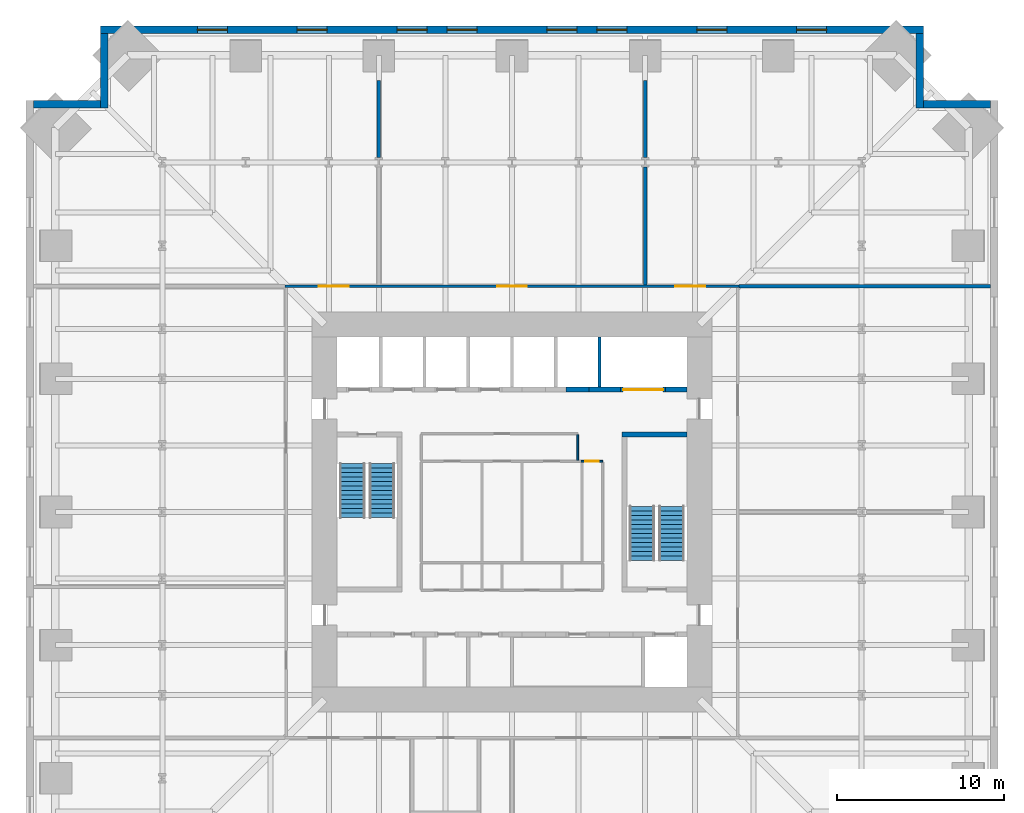
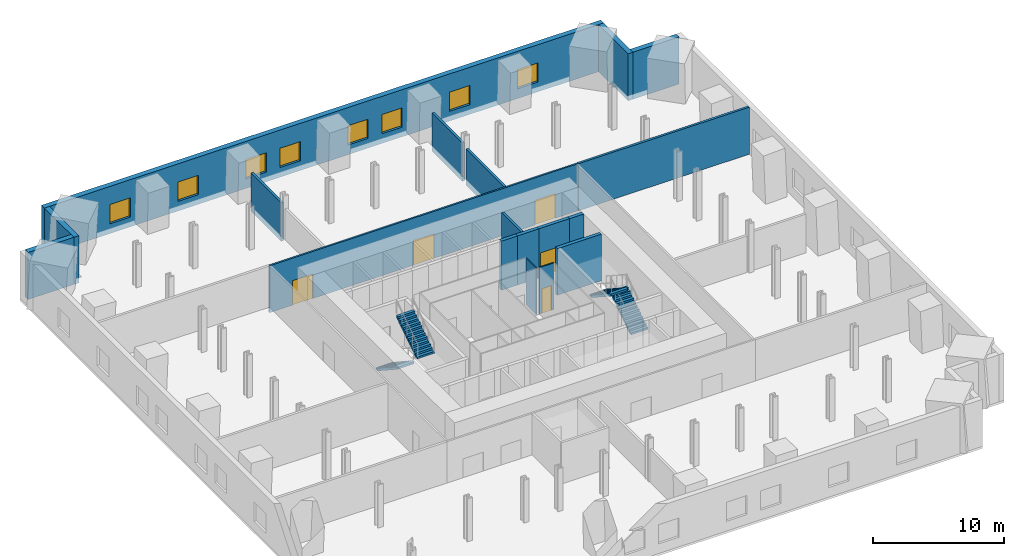
# One storey, part 7 of 8: 18 walls, 8 windows, 5 doors, 4 stair flights, 13 openings, 2 elements without a shape of their own.
"""IFC4 building model written with IfcOpenShell, lengths in metres."""

from ifc_helpers import new_model, si_unit, direction, frame, frame_2d, origin, place, context, subcontext, project, spatial, polyline, rectangle, outline, extrude, material, layer, layer_set, type_object, element, fill, aggregate, save


model = new_model("IFC4")

# Units and contexts
model_context = context("Model", 3, precision=1e-05, world=origin(), true_north=direction((0.0, 1.0)))
body_context = subcontext(model_context, "Body", "Model", "MODEL_VIEW")
ifc_project = project(units=[si_unit("LENGTHUNIT", "METRE"), si_unit("AREAUNIT", "SQUARE_METRE"), si_unit("VOLUMEUNIT", "CUBIC_METRE"), si_unit("PLANEANGLEUNIT", "RADIAN"), si_unit("MASSUNIT", "GRAM", prefix="KILO")], contexts=[model_context])

# Site, building, storey
site_placement = place(None, origin())
site = spatial("IfcSite", under=ifc_project, at=site_placement, CompositionType="ELEMENT")
building_placement = place(site_placement, origin())
building = spatial("IfcBuilding", under=site, at=building_placement, Name="Peilmerk Tower", CompositionType="ELEMENT")
storey_placement = place(building_placement, frame((0.0, 0.0, 86.0)))
storey = spatial("IfcBuildingStorey", under=building, at=storey_placement, Name="L16", CompositionType="ELEMENT", Elevation=86.0)

# Wall, openings, windows
ifc_material_1 = material(Name="Precast concrete C45/55, board-marked finish", Category="concrete")
ifc_layer_1 = layer(ifc_material_1, 0.449951171875)
ifc_layer_set_1 = layer_set([ifc_layer_1], Name="Precast concrete C45/55, board-marked finish")
wall_type_1 = type_object("IfcWallType", Name="EW1 450 precast concrete facade wall, board-marked", PredefinedType="SOLIDWALL", material=ifc_layer_set_1)
wall_1_placement = place(storey_placement, frame((24.699951171875, 28.97509765625, 0.0), z_axis=(0.0, 0.0, 1.0), x_axis=(-1.0, 0.0, 0.0)))
wall_1 = element("IfcWall", 1, at=wall_1_placement, inside=storey, type_object=wall_type_1, Name="Facade wall N L16", PredefinedType="SOLIDWALL", context=body_context, shape_type="SweptSolid", body=[
    extrude(rectangle(XDim=49.39990234375, YDim=0.449951171875, at=frame_2d((24.699951171875, 0.0))), origin(), (0.0, 0.0, 1.0), 4.39990234375),
])
opening_1_placement = place(wall_1_placement, frame((5.800048828125, 0.0, 0.89990234375)))
opening_1 = element("IfcOpeningElement", 2, at=opening_1_placement, cuts=wall_1, Name="Opening W3", PredefinedType="OPENING", context=body_context, shape_type="SweptSolid", body=[
    extrude(rectangle(XDim=1.800048828125, YDim=1.800048828125, at=frame_2d((0.89990234375, 0.89990234375))), frame((0.0, 0.23486328125, 0.0), z_axis=(0.0, -1.0, 0.0), x_axis=(1.0, 0.0, 0.0)), (0.0, 0.0, 1.0), 0.469970703125),
])
opening_2_placement = place(wall_1_placement, frame((11.800048828125, 0.0, 0.89990234375)))
opening_2 = element("IfcOpeningElement", 3, at=opening_2_placement, cuts=wall_1, Name="Opening W3", PredefinedType="OPENING", context=body_context, shape_type="SweptSolid", body=[
    extrude(rectangle(XDim=1.800048828125, YDim=1.800048828125, at=frame_2d((0.89990234375, 0.89990234375))), frame((0.0, 0.23486328125, 0.0), z_axis=(0.0, -1.0, 0.0), x_axis=(1.0, 0.0, 0.0)), (0.0, 0.0, 1.0), 0.469970703125),
])
opening_3_placement = place(wall_1_placement, frame((17.800048828125, 0.0, 0.89990234375)))
opening_3 = element("IfcOpeningElement", 4, at=opening_3_placement, cuts=wall_1, Name="Opening W3", PredefinedType="OPENING", context=body_context, shape_type="SweptSolid", body=[
    extrude(rectangle(XDim=1.800048828125, YDim=1.800048828125, at=frame_2d((0.89990234375, 0.89990234375))), frame((0.0, 0.23486328125, 0.0), z_axis=(0.0, -1.0, 0.0), x_axis=(1.0, 0.0, 0.0)), (0.0, 0.0, 1.0), 0.469970703125),
])
opening_4_placement = place(wall_1_placement, frame((20.800048828125, 0.0, 0.89990234375)))
opening_4 = element("IfcOpeningElement", 5, at=opening_4_placement, cuts=wall_1, Name="Opening W3", PredefinedType="OPENING", context=body_context, shape_type="SweptSolid", body=[
    extrude(rectangle(XDim=1.800048828125, YDim=1.800048828125, at=frame_2d((0.89990234375, 0.89990234375))), frame((0.0, 0.23486328125, 0.0), z_axis=(0.0, -1.0, 0.0), x_axis=(1.0, 0.0, 0.0)), (0.0, 0.0, 1.0), 0.469970703125),
])
opening_5_placement = place(wall_1_placement, frame((26.800048828125, 0.0, 0.89990234375)))
opening_5 = element("IfcOpeningElement", 6, at=opening_5_placement, cuts=wall_1, Name="Opening W3", PredefinedType="OPENING", context=body_context, shape_type="SweptSolid", body=[
    extrude(rectangle(XDim=1.800048828125, YDim=1.800048828125, at=frame_2d((0.89990234375, 0.89990234375))), frame((0.0, 0.23486328125, 0.0), z_axis=(0.0, -1.0, 0.0), x_axis=(1.0, 0.0, 0.0)), (0.0, 0.0, 1.0), 0.469970703125),
])
opening_6_placement = place(wall_1_placement, frame((29.800048828125, 0.0, 0.89990234375)))
opening_6 = element("IfcOpeningElement", 7, at=opening_6_placement, cuts=wall_1, Name="Opening W3", PredefinedType="OPENING", context=body_context, shape_type="SweptSolid", body=[
    extrude(rectangle(XDim=1.800048828125, YDim=1.800048828125, at=frame_2d((0.89990234375, 0.89990234375))), frame((0.0, 0.23486328125, 0.0), z_axis=(0.0, -1.0, 0.0), x_axis=(1.0, 0.0, 0.0)), (0.0, 0.0, 1.0), 0.469970703125),
])
opening_7_placement = place(wall_1_placement, frame((35.800048828125, 0.0, 0.89990234375)))
opening_7 = element("IfcOpeningElement", 8, at=opening_7_placement, cuts=wall_1, Name="Opening W3", PredefinedType="OPENING", context=body_context, shape_type="SweptSolid", body=[
    extrude(rectangle(XDim=1.800048828125, YDim=1.800048828125, at=frame_2d((0.89990234375, 0.89990234375))), frame((0.0, 0.23486328125, 0.0), z_axis=(0.0, -1.0, 0.0), x_axis=(1.0, 0.0, 0.0)), (0.0, 0.0, 1.0), 0.469970703125),
])
opening_8_placement = place(wall_1_placement, frame((41.800048828125, 0.0, 0.89990234375)))
opening_8 = element("IfcOpeningElement", 9, at=opening_8_placement, cuts=wall_1, Name="Opening W3", PredefinedType="OPENING", context=body_context, shape_type="SweptSolid", body=[
    extrude(rectangle(XDim=1.800048828125, YDim=1.800048828125, at=frame_2d((0.89990234375, 0.89990234375))), frame((0.0, 0.23486328125, 0.0), z_axis=(0.0, -1.0, 0.0), x_axis=(1.0, 0.0, 0.0)), (0.0, 0.0, 1.0), 0.469970703125),
])
ifc_material_2 = material(Name="Aluminium frame, clear double glazing", Category="aluminium")
window_type = type_object("IfcWindowType", Name="W3 1800x1800 telecom floor window", PartitioningType="SINGLE_PANEL", PredefinedType="WINDOW", material=ifc_material_2)
window_1_placement = place(opening_1_placement, origin())
window_1 = element("IfcWindow", 10, at=window_1_placement, inside=storey, type_object=window_type, Name="Window W3 L16", OverallHeight=1.800048828125, OverallWidth=1.800048828125, PartitioningType="SINGLE_PANEL", PredefinedType="WINDOW", context=body_context, shape_type="SweptSolid", body=[
    extrude(rectangle(XDim=1.800048828125, YDim=1.800048828125, at=frame_2d((0.89990234375, 0.89990234375))), frame((0.0, 0.030029296875, 0.0), z_axis=(0.0, -1.0, 0.0), x_axis=(1.0, 0.0, 0.0)), (0.0, 0.0, 1.0), 0.06005859375),
])
fill(opening_1, window_1)
window_2_placement = place(opening_2_placement, origin())
window_2 = element("IfcWindow", 11, at=window_2_placement, inside=storey, type_object=window_type, Name="Window W3 L16", OverallHeight=1.800048828125, OverallWidth=1.800048828125, PartitioningType="SINGLE_PANEL", PredefinedType="WINDOW", context=body_context, shape_type="SweptSolid", body=[
    extrude(rectangle(XDim=1.800048828125, YDim=1.800048828125, at=frame_2d((0.89990234375, 0.89990234375))), frame((0.0, 0.030029296875, 0.0), z_axis=(0.0, -1.0, 0.0), x_axis=(1.0, 0.0, 0.0)), (0.0, 0.0, 1.0), 0.06005859375),
])
fill(opening_2, window_2)
window_3_placement = place(opening_3_placement, origin())
window_3 = element("IfcWindow", 12, at=window_3_placement, inside=storey, type_object=window_type, Name="Window W3 L16", OverallHeight=1.800048828125, OverallWidth=1.800048828125, PartitioningType="SINGLE_PANEL", PredefinedType="WINDOW", context=body_context, shape_type="SweptSolid", body=[
    extrude(rectangle(XDim=1.800048828125, YDim=1.800048828125, at=frame_2d((0.89990234375, 0.89990234375))), frame((0.0, 0.030029296875, 0.0), z_axis=(0.0, -1.0, 0.0), x_axis=(1.0, 0.0, 0.0)), (0.0, 0.0, 1.0), 0.06005859375),
])
fill(opening_3, window_3)
window_4_placement = place(opening_4_placement, origin())
window_4 = element("IfcWindow", 13, at=window_4_placement, inside=storey, type_object=window_type, Name="Window W3 L16", OverallHeight=1.800048828125, OverallWidth=1.800048828125, PartitioningType="SINGLE_PANEL", PredefinedType="WINDOW", context=body_context, shape_type="SweptSolid", body=[
    extrude(rectangle(XDim=1.800048828125, YDim=1.800048828125, at=frame_2d((0.89990234375, 0.89990234375))), frame((0.0, 0.030029296875, 0.0), z_axis=(0.0, -1.0, 0.0), x_axis=(1.0, 0.0, 0.0)), (0.0, 0.0, 1.0), 0.06005859375),
])
fill(opening_4, window_4)
window_5_placement = place(opening_5_placement, origin())
window_5 = element("IfcWindow", 14, at=window_5_placement, inside=storey, type_object=window_type, Name="Window W3 L16", OverallHeight=1.800048828125, OverallWidth=1.800048828125, PartitioningType="SINGLE_PANEL", PredefinedType="WINDOW", context=body_context, shape_type="SweptSolid", body=[
    extrude(rectangle(XDim=1.800048828125, YDim=1.800048828125, at=frame_2d((0.89990234375, 0.89990234375))), frame((0.0, 0.030029296875, 0.0), z_axis=(0.0, -1.0, 0.0), x_axis=(1.0, 0.0, 0.0)), (0.0, 0.0, 1.0), 0.06005859375),
])
fill(opening_5, window_5)
window_6_placement = place(opening_6_placement, origin())
window_6 = element("IfcWindow", 15, at=window_6_placement, inside=storey, type_object=window_type, Name="Window W3 L16", OverallHeight=1.800048828125, OverallWidth=1.800048828125, PartitioningType="SINGLE_PANEL", PredefinedType="WINDOW", context=body_context, shape_type="SweptSolid", body=[
    extrude(rectangle(XDim=1.800048828125, YDim=1.800048828125, at=frame_2d((0.89990234375, 0.89990234375))), frame((0.0, 0.030029296875, 0.0), z_axis=(0.0, -1.0, 0.0), x_axis=(1.0, 0.0, 0.0)), (0.0, 0.0, 1.0), 0.06005859375),
])
fill(opening_6, window_6)
window_7_placement = place(opening_7_placement, origin())
window_7 = element("IfcWindow", 16, at=window_7_placement, inside=storey, type_object=window_type, Name="Window W3 L16", OverallHeight=1.800048828125, OverallWidth=1.800048828125, PartitioningType="SINGLE_PANEL", PredefinedType="WINDOW", context=body_context, shape_type="SweptSolid", body=[
    extrude(rectangle(XDim=1.800048828125, YDim=1.800048828125, at=frame_2d((0.89990234375, 0.89990234375))), frame((0.0, 0.030029296875, 0.0), z_axis=(0.0, -1.0, 0.0), x_axis=(1.0, 0.0, 0.0)), (0.0, 0.0, 1.0), 0.06005859375),
])
fill(opening_7, window_7)
window_8_placement = place(opening_8_placement, origin())
window_8 = element("IfcWindow", 17, at=window_8_placement, inside=storey, type_object=window_type, Name="Window W3 L16", OverallHeight=1.800048828125, OverallWidth=1.800048828125, PartitioningType="SINGLE_PANEL", PredefinedType="WINDOW", context=body_context, shape_type="SweptSolid", body=[
    extrude(rectangle(XDim=1.800048828125, YDim=1.800048828125, at=frame_2d((0.89990234375, 0.89990234375))), frame((0.0, 0.030029296875, 0.0), z_axis=(0.0, -1.0, 0.0), x_axis=(1.0, 0.0, 0.0)), (0.0, 0.0, 1.0), 0.06005859375),
])
fill(opening_8, window_8)

# Walls
wall_2_placement = place(storey_placement, frame((24.47509765625, 24.25, 0.0), z_axis=(0.0, 0.0, 1.0), x_axis=(0.0, 1.0, 0.0)))
element("IfcWall", 18, at=wall_2_placement, inside=storey, type_object=wall_type_1, Name="Facade wall NEA L16", PredefinedType="SOLIDWALL", context=body_context, shape_type="SweptSolid", body=[
    extrude(rectangle(XDim=4.5, YDim=0.449951171875, at=frame_2d((2.25, 0.0))), origin(), (0.0, 0.0, 1.0), 4.39990234375),
])
wall_3_placement = place(storey_placement, frame((24.699951171875, 24.47509765625, 0.0), z_axis=(0.0, 0.0, 1.0), x_axis=(1.0, 0.0, 0.0)))
element("IfcWall", 19, at=wall_3_placement, inside=storey, type_object=wall_type_1, Name="Facade wall NEB L16", PredefinedType="SOLIDWALL", context=body_context, shape_type="SweptSolid", body=[
    extrude(rectangle(XDim=4.050048828125, YDim=0.449951171875, at=frame_2d((2.02490234375, 0.0))), origin(), (0.0, 0.0, 1.0), 4.39990234375),
])
wall_4_placement = place(storey_placement, frame((-24.47509765625, 24.25, 0.0), z_axis=(0.0, 0.0, 1.0), x_axis=(0.0, 1.0, 0.0)))
element("IfcWall", 20, at=wall_4_placement, inside=storey, type_object=wall_type_1, Name="Facade wall NWA L16", PredefinedType="SOLIDWALL", context=body_context, shape_type="SweptSolid", body=[
    extrude(rectangle(XDim=4.5, YDim=0.449951171875, at=frame_2d((2.25, 0.0))), origin(), (0.0, 0.0, 1.0), 4.39990234375),
])
wall_5_placement = place(storey_placement, frame((-24.699951171875, 24.47509765625, 0.0), z_axis=(0.0, 0.0, 1.0), x_axis=(-1.0, 0.0, 0.0)))
element("IfcWall", 21, at=wall_5_placement, inside=storey, type_object=wall_type_1, Name="Facade wall NWB L16", PredefinedType="SOLIDWALL", context=body_context, shape_type="SweptSolid", body=[
    extrude(rectangle(XDim=4.050048828125, YDim=0.449951171875, at=frame_2d((2.02490234375, 0.0))), origin(), (0.0, 0.0, 1.0), 4.39990234375),
])

# Wall, openings, doors
ifc_material_3 = material(Name="Calcium silicate block", Category="masonry")
ifc_layer_2 = layer(ifc_material_3, 0.14990234375)
ifc_layer_set_2 = layer_set([ifc_layer_2], Name="Calcium silicate block")
wall_type_2 = type_object("IfcWallType", Name="IW1 150 corridor partition, EI 60", PredefinedType="PARTITIONING", material=ifc_layer_set_2)
wall_6_placement = place(storey_placement, frame((-13.625, 13.550048828125, 0.0), z_axis=(0.0, 0.0, 1.0), x_axis=(1.0, 0.0, 0.0)))
wall_6 = element("IfcWall", 22, at=wall_6_placement, inside=storey, type_object=wall_type_2, Name="Corridor wall N L16", PredefinedType="PARTITIONING", context=body_context, shape_type="SweptSolid", body=[
    extrude(rectangle(XDim=27.25, YDim=0.14990234375, at=frame_2d((13.625, 0.0))), origin(), (0.0, 0.0, 1.0), 4.39990234375),
])
opening_9_placement = place(wall_6_placement, frame((2.02490234375, 0.0, 0.0)))
opening_9 = element("IfcOpeningElement", 23, at=opening_9_placement, cuts=wall_6, Name="Opening D2", PredefinedType="OPENING", context=body_context, shape_type="SweptSolid", body=[
    extrude(rectangle(XDim=1.800048828125, YDim=2.300048828125, at=frame_2d((0.89990234375, 1.14990234375))), frame((0.0, 0.0849609375, 0.0), z_axis=(0.0, -1.0, 0.0), x_axis=(1.0, 0.0, 0.0)), (0.0, 0.0, 1.0), 0.169921875),
])
opening_10_placement = place(wall_6_placement, frame((12.72509765625, 0.0, 0.0)))
opening_10 = element("IfcOpeningElement", 24, at=opening_10_placement, cuts=wall_6, Name="Opening D2", PredefinedType="OPENING", context=body_context, shape_type="SweptSolid", body=[
    extrude(rectangle(XDim=1.800048828125, YDim=2.300048828125, at=frame_2d((0.89990234375, 1.14990234375))), frame((0.0, 0.0849609375, 0.0), z_axis=(0.0, -1.0, 0.0), x_axis=(1.0, 0.0, 0.0)), (0.0, 0.0, 1.0), 0.169921875),
])
opening_11_placement = place(wall_6_placement, frame((23.425048828125, 0.0, 0.0)))
opening_11 = element("IfcOpeningElement", 25, at=opening_11_placement, cuts=wall_6, Name="Opening D2", PredefinedType="OPENING", context=body_context, shape_type="SweptSolid", body=[
    extrude(rectangle(XDim=1.800048828125, YDim=2.300048828125, at=frame_2d((0.89990234375, 1.14990234375))), frame((0.0, 0.0849609375, 0.0), z_axis=(0.0, -1.0, 0.0), x_axis=(1.0, 0.0, 0.0)), (0.0, 0.0, 1.0), 0.169921875),
])
ifc_material_4 = material(Name="Steel door in steel frame", Category="steel")
door_type_1 = type_object("IfcDoorType", Name="D2 1800x2300 double door, EI2 60", OperationType="DOUBLE_DOOR_DOUBLE_SWING", PredefinedType="DOOR", material=ifc_material_4)
door_1_placement = place(opening_9_placement, origin())
door_1 = element("IfcDoor", 26, at=door_1_placement, inside=storey, type_object=door_type_1, Name="Door Telecom equipment room A L16", OperationType="DOUBLE_DOOR_DOUBLE_SWING", OverallHeight=2.300048828125, OverallWidth=1.800048828125, PredefinedType="DOOR", context=body_context, shape_type="SweptSolid", body=[
    extrude(rectangle(XDim=1.800048828125, YDim=2.300048828125, at=frame_2d((0.89990234375, 1.14990234375))), frame((0.0, 0.02490234375, 0.0), z_axis=(0.0, -1.0, 0.0), x_axis=(1.0, 0.0, 0.0)), (0.0, 0.0, 1.0), 0.050048828125),
])
fill(opening_9, door_1)
door_2_placement = place(opening_10_placement, origin())
door_2 = element("IfcDoor", 27, at=door_2_placement, inside=storey, type_object=door_type_1, Name="Door Meet-me room L16", OperationType="DOUBLE_DOOR_DOUBLE_SWING", OverallHeight=2.300048828125, OverallWidth=1.800048828125, PredefinedType="DOOR", context=body_context, shape_type="SweptSolid", body=[
    extrude(rectangle(XDim=1.800048828125, YDim=2.300048828125, at=frame_2d((0.89990234375, 1.14990234375))), frame((0.0, 0.02490234375, 0.0), z_axis=(0.0, -1.0, 0.0), x_axis=(1.0, 0.0, 0.0)), (0.0, 0.0, 1.0), 0.050048828125),
])
fill(opening_10, door_2)
door_3_placement = place(opening_11_placement, origin())
door_3 = element("IfcDoor", 28, at=door_3_placement, inside=storey, type_object=door_type_1, Name="Door Telecom equipment room B L16", OperationType="DOUBLE_DOOR_DOUBLE_SWING", OverallHeight=2.300048828125, OverallWidth=1.800048828125, PredefinedType="DOOR", context=body_context, shape_type="SweptSolid", body=[
    extrude(rectangle(XDim=1.800048828125, YDim=2.300048828125, at=frame_2d((0.89990234375, 1.14990234375))), frame((0.0, 0.02490234375, 0.0), z_axis=(0.0, -1.0, 0.0), x_axis=(1.0, 0.0, 0.0)), (0.0, 0.0, 1.0), 0.050048828125),
])
fill(opening_11, door_3)

# Walls
ifc_layer_3 = layer(ifc_material_3, 0.199951171875)
ifc_layer_set_3 = layer_set([ifc_layer_3], Name="Calcium silicate block")
wall_type_3 = type_object("IfcWallType", Name="IW2 200 room separating wall, EI 120", PredefinedType="PARTITIONING", material=ifc_layer_set_3)
wall_7_placement = place(storey_placement, frame((13.625, 13.550048828125, 0.0), z_axis=(0.0, 0.0, 1.0), x_axis=(1.0, 0.0, 0.0)))
element("IfcWall", 29, at=wall_7_placement, inside=storey, type_object=wall_type_3, Name="Room separating wall NE L16", PredefinedType="PARTITIONING", context=body_context, shape_type="SweptSolid", body=[
    extrude(rectangle(XDim=15.125, YDim=0.199951171875, at=frame_2d((7.5625, 0.0))), origin(), (0.0, 0.0, 1.0), 4.39990234375),
])
wall_8_placement = place(storey_placement, frame((-8.0, 21.284423828125, 0.0), z_axis=(0.0, 0.0, 1.0), x_axis=(0.0, 1.0, 0.0)))
element("IfcWall", 30, at=wall_8_placement, inside=storey, type_object=wall_type_3, Name="Room separating wall N1b L16", PredefinedType="PARTITIONING", context=body_context, shape_type="SweptSolid", body=[
    extrude(rectangle(XDim=4.61572265625, YDim=0.199951171875, at=frame_2d((2.307861328125, 0.0))), origin(), (0.0, 0.0, 1.0), 3.610107421875),
])
wall_9_placement = place(storey_placement, frame((8.0, 13.625, 0.0), z_axis=(0.0, 0.0, 1.0), x_axis=(0.0, 1.0, 0.0)))
element("IfcWall", 31, at=wall_9_placement, inside=storey, type_object=wall_type_3, Name="Room separating wall N2 L16", PredefinedType="PARTITIONING", context=body_context, shape_type="SweptSolid", body=[
    extrude(rectangle(XDim=7.090576171875, YDim=0.199951171875, at=frame_2d((3.54541015625, 0.0))), origin(), (0.0, 0.0, 1.0), 3.39208984375),
])
wall_10_placement = place(storey_placement, frame((8.0, 21.284423828125, 0.0), z_axis=(0.0, 0.0, 1.0), x_axis=(0.0, 1.0, 0.0)))
element("IfcWall", 32, at=wall_10_placement, inside=storey, type_object=wall_type_3, Name="Room separating wall N2b L16", PredefinedType="PARTITIONING", context=body_context, shape_type="SweptSolid", body=[
    extrude(rectangle(XDim=4.61572265625, YDim=0.199951171875, at=frame_2d((2.307861328125, 0.0))), origin(), (0.0, 0.0, 1.0), 3.610107421875),
])
ifc_material_5 = material(Name="Concrete C35/45", Category="concrete")
ifc_layer_4 = layer(ifc_material_5, 0.300048828125)
ifc_layer_set_4 = layer_set([ifc_layer_4], Name="Concrete C35/45")
wall_type_4 = type_object("IfcWallType", Name="IW3 300 concrete stair enclosure wall, EI 120", PredefinedType="SOLIDWALL", material=ifc_layer_set_4)
wall_11_placement = place(storey_placement, frame((6.60009765625, 4.64990234375, 0.0), z_axis=(0.0, 0.0, 1.0), x_axis=(1.0, 0.0, 0.0)))
element("IfcWall", 33, at=wall_11_placement, inside=storey, type_object=wall_type_4, Name="Stair 2 enclosure L16", PredefinedType="SOLIDWALL", context=body_context, shape_type="SweptSolid", body=[
    extrude(rectangle(XDim=3.89990234375, YDim=0.300048828125, at=frame_2d((1.949951171875, 0.0))), origin(), (0.0, 0.0, 1.0), 4.35009765625),
])

# Wall, opening, door
ifc_material_6 = material(Name="Calcium silicate board on steel studs", Category="steel")
ifc_layer_5 = layer(ifc_material_6, 0.10009765625)
ifc_layer_set_5 = layer_set([ifc_layer_5], Name="Calcium silicate board on steel studs")
wall_type_5 = type_object("IfcWallType", Name="IW5 100 riser enclosure wall, EI 60", PredefinedType="PARTITIONING", material=ifc_layer_set_5)
wall_12_placement = place(storey_placement, frame((4.14990234375, 3.050048828125, 0.0), z_axis=(0.0, 0.0, 1.0), x_axis=(1.0, 0.0, 0.0)))
wall_12 = element("IfcWall", 34, at=wall_12_placement, inside=storey, type_object=wall_type_5, Name="Riser wall L16", PredefinedType="PARTITIONING", context=body_context, shape_type="SweptSolid", body=[
    extrude(rectangle(XDim=1.300048828125, YDim=0.10009765625, at=frame_2d((0.64990234375, 0.0))), origin(), (0.0, 0.0, 1.0), 4.35009765625),
])
opening_12_placement = place(wall_12_placement, frame((0.25, 0.0, 0.0)))
opening_12 = element("IfcOpeningElement", 35, at=opening_12_placement, cuts=wall_12, Name="Opening D7", PredefinedType="OPENING", context=body_context, shape_type="SweptSolid", body=[
    extrude(rectangle(XDim=0.800048828125, YDim=2.300048828125, at=frame_2d((0.39990234375, 1.14990234375))), frame((0.0, 0.06005859375, 0.0), z_axis=(0.0, -1.0, 0.0), x_axis=(1.0, 0.0, 0.0)), (0.0, 0.0, 1.0), 0.1201171875),
])
door_type_2 = type_object("IfcDoorType", Name="D7 800x2300 riser access door, EI2 60", OperationType="SINGLE_SWING_RIGHT", PredefinedType="DOOR", material=ifc_material_4)
door_4_placement = place(opening_12_placement, frame((0.800048828125, 0.0, 0.0), z_axis=(0.0, 0.0, 1.0), x_axis=(-1.0, 0.0, 0.0)))
door_4 = element("IfcDoor", 36, at=door_4_placement, inside=storey, type_object=door_type_2, Name="Plumbing riser door L16", OperationType="SINGLE_SWING_RIGHT", OverallHeight=2.300048828125, OverallWidth=0.800048828125, PredefinedType="DOOR", context=body_context, shape_type="SweptSolid", body=[
    extrude(rectangle(XDim=0.800048828125, YDim=2.300048828125, at=frame_2d((0.39990234375, 1.14990234375))), frame((0.0, 0.02490234375, 0.0), z_axis=(0.0, -1.0, 0.0), x_axis=(1.0, 0.0, 0.0)), (0.0, 0.0, 1.0), 0.050048828125),
])
fill(opening_12, door_4)

# Walls
ifc_material_7 = material(Name="Fire-resisting plasterboard on steel studs", Category="steel")
ifc_layer_6 = layer(ifc_material_7, 0.10009765625)
ifc_layer_set_6 = layer_set([ifc_layer_6], Name="Fire-resisting plasterboard on steel studs")
wall_type_6 = type_object("IfcWallType", Name="IW9 100 WC lobby wall, EI 30", PredefinedType="PARTITIONING", material=ifc_layer_set_6)
wall_13_placement = place(storey_placement, frame((3.949951171875, 3.10009765625, 0.0), z_axis=(0.0, 0.0, 1.0), x_axis=(0.0, 1.0, 0.0)))
element("IfcWall", 37, at=wall_13_placement, inside=storey, type_object=wall_type_6, Name="WC lobby wall L16", PredefinedType="PARTITIONING", context=body_context, shape_type="SweptSolid", body=[
    extrude(rectangle(XDim=1.5498046875, YDim=0.10009765625, at=frame_2d((0.77490234375, 0.0))), origin(), (0.0, 0.0, 1.0), 4.35009765625),
])
ifc_layer_7 = layer(ifc_material_3, 0.199951171875)
ifc_layer_set_7 = layer_set([ifc_layer_7], Name="Calcium silicate block")
wall_type_7 = type_object("IfcWallType", Name="SH1 200 shaft dividing wall, EI 120", PredefinedType="PARTITIONING", material=ifc_layer_set_7)
wall_14_placement = place(storey_placement, frame((5.25, 7.5, 0.0), z_axis=(0.0, 0.0, 1.0), x_axis=(0.0, 1.0, 0.0)))
element("IfcWall", 38, at=wall_14_placement, inside=storey, type_object=wall_type_7, Name="Shaft wall N S2 L16", PredefinedType="PARTITIONING", context=body_context, shape_type="SweptSolid", body=[
    extrude(rectangle(XDim=3.0, YDim=0.199951171875, at=frame_2d((1.5, 0.0))), origin(), (0.0, 0.0, 1.0), 4.60009765625),
])
ifc_layer_8 = layer(ifc_material_3, 0.300048828125)
ifc_layer_set_8 = layer_set([ifc_layer_8], Name="Calcium silicate block")
wall_type_8 = type_object("IfcWallType", Name="SH2 300 lift landing door panel, EI 120", PredefinedType="PARTITIONING", material=ifc_layer_set_8)
wall_15_placement = place(storey_placement, frame((3.237548828125, 7.35009765625, 0.0), z_axis=(0.0, 0.0, 1.0), x_axis=(1.0, 0.0, 0.0)))
element("IfcWall", 39, at=wall_15_placement, inside=storey, type_object=wall_type_8, Name="Lift door panel N S2 L16", PredefinedType="PARTITIONING", context=body_context, shape_type="SweptSolid", body=[
    extrude(rectangle(XDim=1.39990234375, YDim=0.300048828125, at=frame_2d((0.699951171875, 0.0))), origin(), (0.0, 0.0, 1.0), 4.60009765625),
])

# Wall, opening, door
wall_16_placement = place(storey_placement, frame((6.52490234375, 7.35009765625, 0.0), z_axis=(0.0, 0.0, 1.0), x_axis=(1.0, 0.0, 0.0)))
wall_16 = element("IfcWall", 40, at=wall_16_placement, inside=storey, type_object=wall_type_8, Name="Lift door panel N GL1 L16", PredefinedType="PARTITIONING", context=body_context, shape_type="SweptSolid", body=[
    extrude(rectangle(XDim=2.7001953125, YDim=0.300048828125, at=frame_2d((1.35009765625, 0.0))), origin(), (0.0, 0.0, 1.0), 4.60009765625),
])
opening_13_placement = place(wall_16_placement, frame((0.14990234375, 0.0, 0.0)))
opening_13 = element("IfcOpeningElement", 41, at=opening_13_placement, cuts=wall_16, Name="Opening LD3", PredefinedType="OPENING", context=body_context, shape_type="SweptSolid", body=[
    extrude(rectangle(XDim=2.39990234375, YDim=2.300048828125, at=frame_2d((1.199951171875, 1.14990234375))), frame((0.0, 0.159912109375, 0.0), z_axis=(0.0, -1.0, 0.0), x_axis=(1.0, 0.0, 0.0)), (0.0, 0.0, 1.0), 0.320068359375),
])
ifc_material_8 = material(Name="Stainless steel landing door", Category="steel")
door_type_3 = type_object("IfcDoorType", Name="LD3 2400x2300 lift landing door, sliding, EI2 60", OperationType="SLIDING_TO_LEFT", PredefinedType="DOOR", material=ifc_material_8)
door_5_placement = place(opening_13_placement, frame((2.39990234375, 0.0, 0.0), z_axis=(0.0, 0.0, 1.0), x_axis=(-1.0, 0.0, 0.0)))
door_5 = element("IfcDoor", 42, at=door_5_placement, inside=storey, type_object=door_type_3, Name="Lift landing door GL1 L16", OperationType="SLIDING_TO_LEFT", OverallHeight=2.300048828125, OverallWidth=2.39990234375, PredefinedType="DOOR", context=body_context, shape_type="SweptSolid", body=[
    extrude(rectangle(XDim=2.39990234375, YDim=2.300048828125, at=frame_2d((1.199951171875, 1.14990234375))), frame((0.0, 0.02490234375, 0.0), z_axis=(0.0, -1.0, 0.0), x_axis=(1.0, 0.0, 0.0)), (0.0, 0.0, 1.0), 0.050048828125),
])
fill(opening_13, door_5)

# Walls
ifc_material_9 = material(Name="Concrete C55/67", Category="concrete")
ifc_layer_9 = layer(ifc_material_9, 0.300048828125)
ifc_layer_set_9 = layer_set([ifc_layer_9], Name="Concrete C55/67")
wall_type_9 = type_object("IfcWallType", Name="SW2 300 lift bank pier", PredefinedType="SHEAR", material=ifc_layer_set_9)
wall_17_placement = place(storey_placement, frame((4.637451171875, 7.35009765625, 0.0), z_axis=(0.0, 0.0, 1.0), x_axis=(1.0, 0.0, 0.0)))
element("IfcWall", 43, at=wall_17_placement, inside=storey, type_object=wall_type_9, Name="Lift bank pier N L16", PredefinedType="SHEAR", context=body_context, shape_type="SweptSolid", body=[
    extrude(rectangle(XDim=1.887451171875, YDim=0.300048828125, at=frame_2d((0.94384765625, 0.0))), origin(), (0.0, 0.0, 1.0), 4.60009765625),
])
wall_18_placement = place(storey_placement, frame((9.22509765625, 7.35009765625, 0.0), z_axis=(0.0, 0.0, 1.0), x_axis=(1.0, 0.0, 0.0)))
element("IfcWall", 44, at=wall_18_placement, inside=storey, type_object=wall_type_9, Name="Lift bank pier N L16", PredefinedType="SHEAR", context=body_context, shape_type="SweptSolid", body=[
    extrude(rectangle(XDim=1.27490234375, YDim=0.300048828125, at=frame_2d((0.637451171875, 0.0))), origin(), (0.0, 0.0, 1.0), 4.60009765625),
])

# Stair, stair flights
ifc_material_10 = material(Name="Precast concrete C45/55", Category="concrete")
stair_type_1 = type_object("IfcStairType", Name="ST1 26 risers of 176.9", PredefinedType="HALF_TURN_STAIR", material=ifc_material_10)
stair_1_placement = place(storey_placement, origin())
stair_1 = element("IfcStair", 45, at=stair_1_placement, inside=storey, type_object=stair_type_1, Name="Stair 1 L16 to L17", PredefinedType="HALF_TURN_STAIR")
stair_flight_type = type_object("IfcStairFlightType", Name="SF13 flight, 13 risers of 176.9", PredefinedType="STRAIGHT", material=ifc_material_10)
stair_flight_1_placement = place(storey_placement, frame((-9.60009765625, 2.89990234375, 0.0), z_axis=(0.0, 0.0, 1.0), x_axis=(0.0, -1.0, 0.0)))
stair_flight_1 = element("IfcStairFlight", 46, at=stair_flight_1_placement, type_object=stair_flight_type, Name="ST1 flight 1", NumberOfRisers=13, NumberOfTreads=12, PredefinedType="STRAIGHT", RiserHeight=0.176923077, TreadLength=0.27, context=body_context, shape_type="SweptSolid", body=[
    extrude(outline(polyline([(0.0, 0.0), (0.0, 0.177001953125), (0.27001953125, 0.177001953125), (0.27001953125, 0.353759765625), (0.5400390625, 0.353759765625), (0.5400390625, 0.53076171875), (0.81005859375, 0.53076171875), (0.81005859375, 0.707763671875), (1.080078125, 0.707763671875), (1.080078125, 0.884521484375), (1.35009765625, 0.884521484375), (1.35009765625, 1.0615234375), (1.6201171875, 1.0615234375), (1.6201171875, 1.238525390625), (1.889892578125, 1.238525390625), (1.889892578125, 1.415283203125), (2.159912109375, 1.415283203125), (2.159912109375, 1.59228515625), (2.429931640625, 1.59228515625), (2.429931640625, 1.769287109375), (2.699951171875, 1.769287109375), (2.699951171875, 1.946044921875), (2.969970703125, 1.946044921875), (2.969970703125, 2.123046875), (3.239990234375, 2.123046875), (3.239990234375, 2.300048828125), (3.239990234375, 1.94384765625), (0.2734375, 0.0), (0.0, 0.0)])), frame((0.0, 0.75, 0.0), z_axis=(0.0, -1.0, 0.0), x_axis=(1.0, 0.0, 0.0)), (0.0, 0.0, 1.0), 1.5),
])
stair_flight_2_placement = place(storey_placement, frame((-7.800048828125, -0.340087890625, 2.300048828125), z_axis=(0.0, 0.0, 1.0), x_axis=(0.0, 1.0, 0.0)))
stair_flight_2 = element("IfcStairFlight", 47, at=stair_flight_2_placement, type_object=stair_flight_type, Name="ST1 flight 2", NumberOfRisers=13, NumberOfTreads=12, PredefinedType="STRAIGHT", RiserHeight=0.176923077, TreadLength=0.27, context=body_context, shape_type="SweptSolid", body=[
    extrude(outline(polyline([(0.0, 0.0), (0.0, 0.177001953125), (0.27001953125, 0.177001953125), (0.27001953125, 0.353759765625), (0.5400390625, 0.353759765625), (0.5400390625, 0.53076171875), (0.81005859375, 0.53076171875), (0.81005859375, 0.707763671875), (1.080078125, 0.707763671875), (1.080078125, 0.884521484375), (1.35009765625, 0.884521484375), (1.35009765625, 1.0615234375), (1.6201171875, 1.0615234375), (1.6201171875, 1.238525390625), (1.889892578125, 1.238525390625), (1.889892578125, 1.415283203125), (2.159912109375, 1.415283203125), (2.159912109375, 1.59228515625), (2.429931640625, 1.59228515625), (2.429931640625, 1.769287109375), (2.699951171875, 1.769287109375), (2.699951171875, 1.946044921875), (2.969970703125, 1.946044921875), (2.969970703125, 2.123046875), (3.239990234375, 2.123046875), (3.239990234375, 2.300048828125), (3.239990234375, 1.94384765625), (0.2734375, 0.0), (0.0, 0.0)])), frame((0.0, 0.75, 0.0), z_axis=(0.0, -1.0, 0.0), x_axis=(1.0, 0.0, 0.0)), (0.0, 0.0, 1.0), 1.5),
])
aggregate(stair_1, [stair_flight_1, stair_flight_2])

stair_type_2 = type_object("IfcStairType", Name="ST2 26 risers of 176.9", PredefinedType="HALF_TURN_STAIR", material=ifc_material_10)
stair_2_placement = place(storey_placement, origin())
stair_2 = element("IfcStair", 48, at=stair_2_placement, inside=storey, type_object=stair_type_2, Name="Stair 2 L16 to L17", PredefinedType="HALF_TURN_STAIR")
stair_flight_3_placement = place(storey_placement, frame((9.60009765625, -2.89990234375, 0.0), z_axis=(0.0, 0.0, 1.0), x_axis=(0.0, 1.0, 0.0)))
stair_flight_3 = element("IfcStairFlight", 49, at=stair_flight_3_placement, type_object=stair_flight_type, Name="ST2 flight 1", NumberOfRisers=13, NumberOfTreads=12, PredefinedType="STRAIGHT", RiserHeight=0.176923077, TreadLength=0.27, context=body_context, shape_type="SweptSolid", body=[
    extrude(outline(polyline([(0.0, 0.0), (0.0, 0.177001953125), (0.27001953125, 0.177001953125), (0.27001953125, 0.353759765625), (0.5400390625, 0.353759765625), (0.5400390625, 0.53076171875), (0.81005859375, 0.53076171875), (0.81005859375, 0.707763671875), (1.080078125, 0.707763671875), (1.080078125, 0.884521484375), (1.35009765625, 0.884521484375), (1.35009765625, 1.0615234375), (1.6201171875, 1.0615234375), (1.6201171875, 1.238525390625), (1.889892578125, 1.238525390625), (1.889892578125, 1.415283203125), (2.159912109375, 1.415283203125), (2.159912109375, 1.59228515625), (2.429931640625, 1.59228515625), (2.429931640625, 1.769287109375), (2.699951171875, 1.769287109375), (2.699951171875, 1.946044921875), (2.969970703125, 1.946044921875), (2.969970703125, 2.123046875), (3.239990234375, 2.123046875), (3.239990234375, 2.300048828125), (3.239990234375, 1.94384765625), (0.2734375, 0.0), (0.0, 0.0)])), frame((0.0, 0.75, 0.0), z_axis=(0.0, -1.0, 0.0), x_axis=(1.0, 0.0, 0.0)), (0.0, 0.0, 1.0), 1.5),
])
stair_flight_4_placement = place(storey_placement, frame((7.800048828125, 0.340087890625, 2.300048828125), z_axis=(0.0, 0.0, 1.0), x_axis=(0.0, -1.0, 0.0)))
stair_flight_4 = element("IfcStairFlight", 50, at=stair_flight_4_placement, type_object=stair_flight_type, Name="ST2 flight 2", NumberOfRisers=13, NumberOfTreads=12, PredefinedType="STRAIGHT", RiserHeight=0.176923077, TreadLength=0.27, context=body_context, shape_type="SweptSolid", body=[
    extrude(outline(polyline([(0.0, 0.0), (0.0, 0.177001953125), (0.27001953125, 0.177001953125), (0.27001953125, 0.353759765625), (0.5400390625, 0.353759765625), (0.5400390625, 0.53076171875), (0.81005859375, 0.53076171875), (0.81005859375, 0.707763671875), (1.080078125, 0.707763671875), (1.080078125, 0.884521484375), (1.35009765625, 0.884521484375), (1.35009765625, 1.0615234375), (1.6201171875, 1.0615234375), (1.6201171875, 1.238525390625), (1.889892578125, 1.238525390625), (1.889892578125, 1.415283203125), (2.159912109375, 1.415283203125), (2.159912109375, 1.59228515625), (2.429931640625, 1.59228515625), (2.429931640625, 1.769287109375), (2.699951171875, 1.769287109375), (2.699951171875, 1.946044921875), (2.969970703125, 1.946044921875), (2.969970703125, 2.123046875), (3.239990234375, 2.123046875), (3.239990234375, 2.300048828125), (3.239990234375, 1.94384765625), (0.2734375, 0.0), (0.0, 0.0)])), frame((0.0, 0.75, 0.0), z_axis=(0.0, -1.0, 0.0), x_axis=(1.0, 0.0, 0.0)), (0.0, 0.0, 1.0), 1.5),
])
aggregate(stair_2, [stair_flight_3, stair_flight_4])

save(model, "model.ifc")
